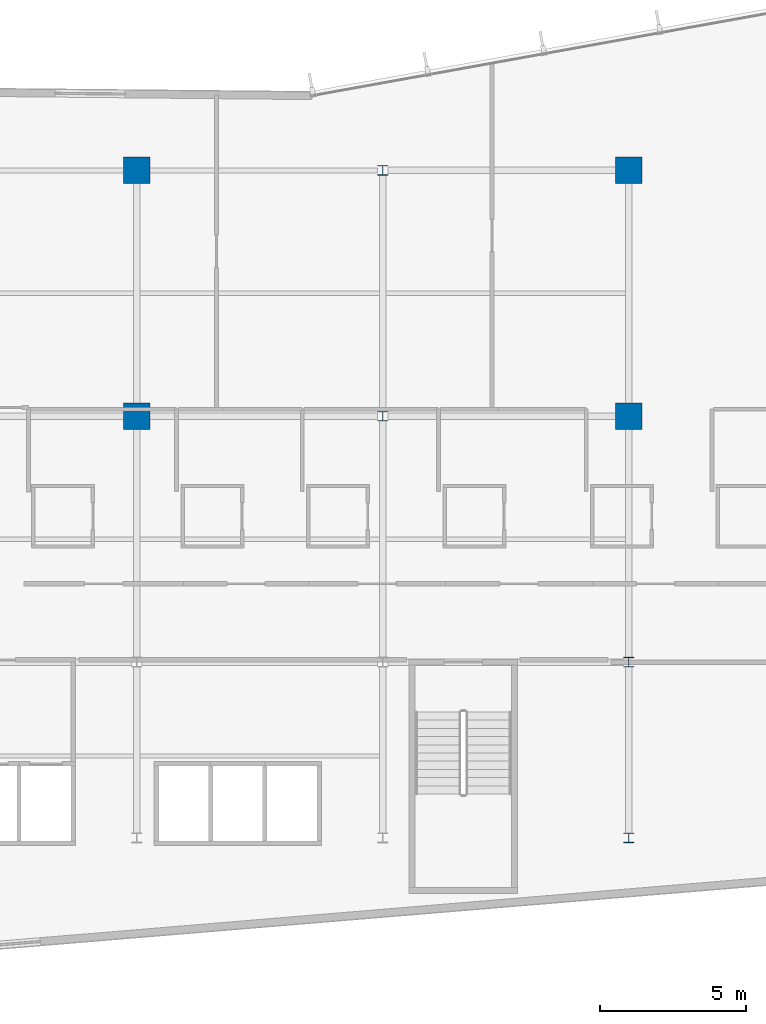
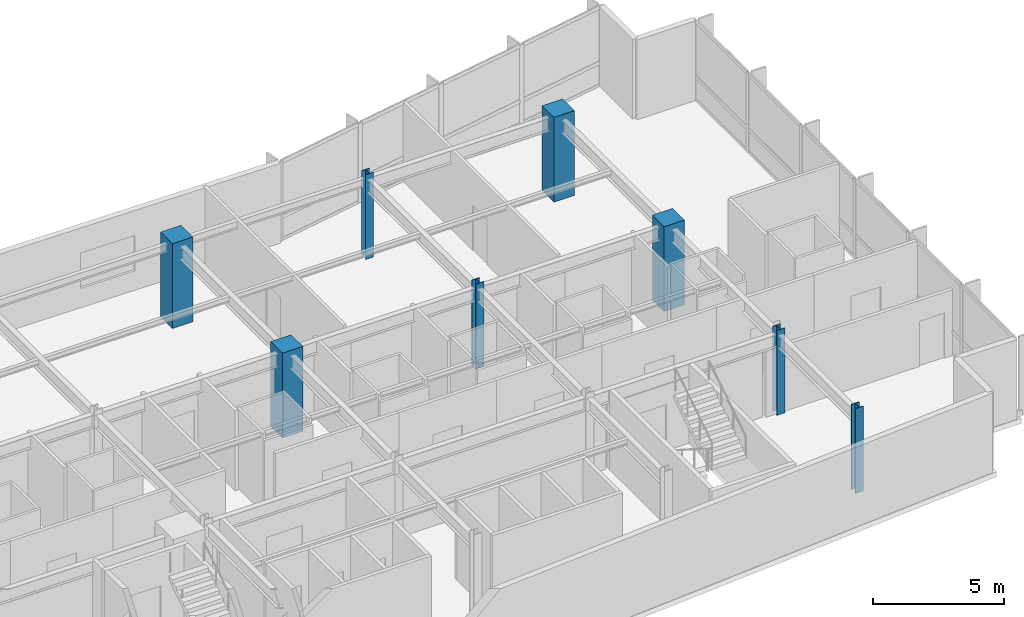
# One storey, part 2 of 21: 8 columns.
"""IFC4 building model written with IfcOpenShell, lengths in metres."""

from ifc_helpers import new_model, si_unit, direction, frame, origin, origin_2d, place, context, subcontext, project, spatial, rectangle, i_section, extrude, material, material_profile, profile_set, type_object, element, save


model = new_model("IFC4")

# Units and contexts
model_context = context("Model", 3, precision=1e-05, world=origin(), true_north=direction((0.0, 1.0)))
body_context = subcontext(model_context, "Body", "Model", "MODEL_VIEW")
ifc_project = project(units=[si_unit("LENGTHUNIT", "METRE"), si_unit("AREAUNIT", "SQUARE_METRE"), si_unit("VOLUMEUNIT", "CUBIC_METRE"), si_unit("PLANEANGLEUNIT", "RADIAN"), si_unit("MASSUNIT", "GRAM", prefix="KILO")], contexts=[model_context])

# Site, building, storey
site_placement = place(None, origin())
site = spatial("IfcSite", under=ifc_project, at=site_placement, CompositionType="ELEMENT")
building_placement = place(site_placement, origin())
building = spatial("IfcBuilding", under=site, at=building_placement, Name="Varnakote Quay Hospital", CompositionType="ELEMENT")
storey_placement = place(building_placement, frame((0.0, 0.0, 38.300048828125)))
storey = spatial("IfcBuildingStorey", under=building, at=storey_placement, Name="L09", CompositionType="ELEMENT", Elevation=38.300048828125)

# Columns
ifc_material_1 = material(Name="Concrete N50 (f'c 50 MPa)", Category="concrete")
ifc_material_profile_1 = material_profile(ifc_material_1, rectangle(XDim=0.89990234375, YDim=0.89990234375, at=origin_2d()), Name="RC-COL-900x900")
ifc_profile_set_1 = profile_set([ifc_material_profile_1], Name="Concrete N50 (f'c 50 MPa)")
column_type_1 = type_object("IfcColumnType", Name="COL-RC-900", PredefinedType="COLUMN", material=ifc_profile_set_1)
for number, where, z_axis, x_axis, name in (
    (1, (33.60009765625, 20.39990234375, 0.0), (0.0, 0.0, 1.0), (1.0, 0.0, 0.0), "L09 Structural Column C-34-20"),
    (2, (50.39990234375, 20.39990234375, 0.0), (0.0, 0.0, 1.0), (1.0, 0.0, 0.0), "L09 Structural Column C-50-20"),
    (3, (33.60009765625, 28.800048828125, 0.0), (0.0, 0.0, 1.0), (1.0, 0.0, 0.0), "L09 Structural Column C-34-29"),
    (4, (50.39990234375, 28.800048828125, 0.0), (0.0, 0.0, 1.0), (1.0, 0.0, 0.0), "L09 Structural Column C-50-29"),
):
    element("IfcColumn", number, at=place(storey_placement, frame(where, z_axis=z_axis, x_axis=x_axis)), inside=storey, type_object=column_type_1, Name=name, PredefinedType="COLUMN", context=body_context, shape_type="SweptSolid", body=[
        extrude(rectangle(XDim=0.89990234375, YDim=0.89990234375, at=origin_2d()), origin(), (0.0, 0.0, 1.0), 3.949951171875),
    ])
ifc_material_2 = material(Name="Structural steel AS/NZS 3678 Grade 350 (fy 340 MPa)", Category="steel")
ifc_material_profile_2 = material_profile(ifc_material_2, i_section(OverallWidth=0.35009765625, OverallDepth=0.340087890625, WebThickness=0.01611328125, FlangeThickness=0.028076171875, at=origin_2d()), Name="350WC197")
ifc_profile_set_2 = profile_set([ifc_material_profile_2], Name="Structural steel AS/NZS 3678 Grade 350 (fy 340 MPa)")
column_type_2 = type_object("IfcColumnType", Name="COL-STL-350WC197", PredefinedType="COLUMN", material=ifc_profile_set_2)
for number, where, z_axis, x_axis, name in (
    (5, (50.39990234375, 6.0, 0.0), (0.0, 0.0, 1.0), (1.0, 0.0, 0.0), "L09 Structural Column C-50-6"),
    (6, (50.39990234375, 12.0, 0.0), (0.0, 0.0, 1.0), (1.0, 0.0, 0.0), "L09 Structural Column C-50-12"),
    (7, (42.0, 20.39990234375, 0.0), (0.0, 0.0, 1.0), (1.0, 0.0, 0.0), "L09 Structural Column C-42-20"),
    (8, (42.0, 28.800048828125, 0.0), (0.0, 0.0, 1.0), (1.0, 0.0, 0.0), "L09 Structural Column C-42-29"),
):
    element("IfcColumn", number, at=place(storey_placement, frame(where, z_axis=z_axis, x_axis=x_axis)), inside=storey, type_object=column_type_2, Name=name, PredefinedType="COLUMN", context=body_context, shape_type="SweptSolid", body=[
        extrude(i_section(OverallWidth=0.35009765625, OverallDepth=0.340087890625, WebThickness=0.01611328125, FlangeThickness=0.028076171875, at=origin_2d()), origin(), (0.0, 0.0, 1.0), 3.949951171875),
    ])

save(model, "model.ifc")
